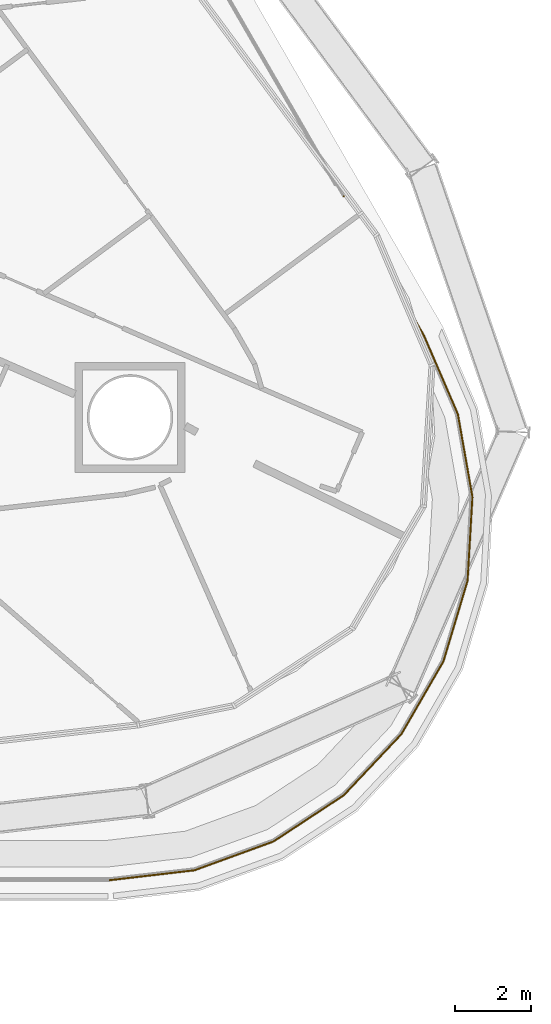
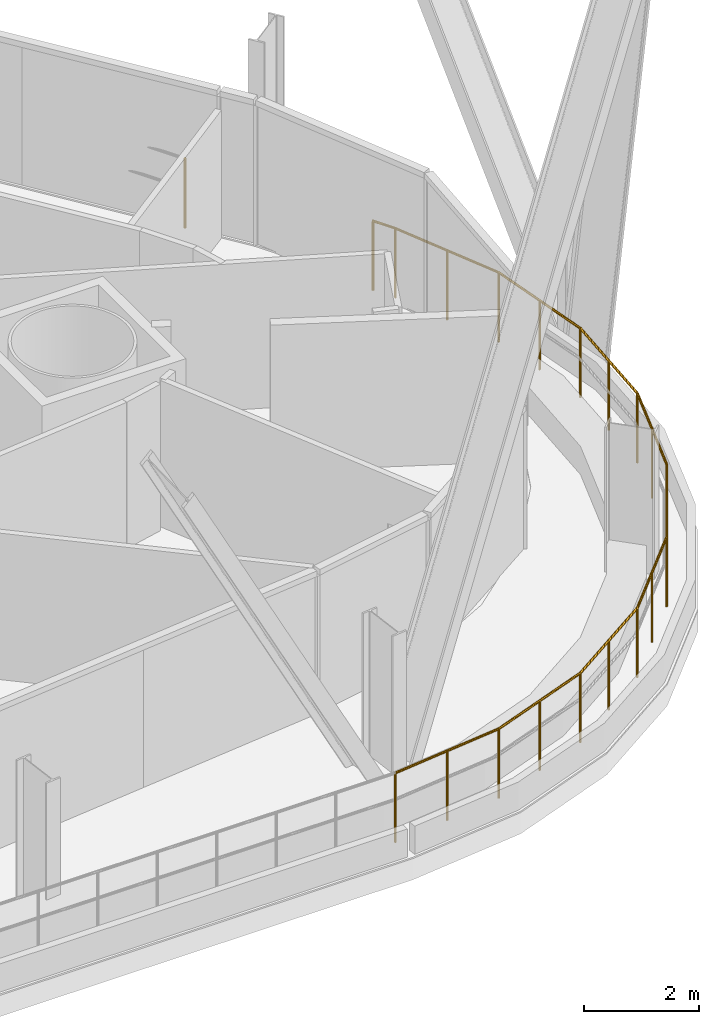
# One storey, part 25 of 32: 2 railings.
"""IFC4 building model written with IfcOpenShell, lengths in metres."""

from ifc_helpers import new_model, si_unit, direction, frame, origin, origin_2d, place, context, subcontext, project, spatial, circle, extrude, material, type_object, element, save


model = new_model("IFC4")

# Units and contexts
model_context = context("Model", 3, precision=1e-05, world=origin(), true_north=direction((0.0, 1.0)))
body_context = subcontext(model_context, "Body", "Model", "MODEL_VIEW")
ifc_project = project(units=[si_unit("LENGTHUNIT", "METRE"), si_unit("AREAUNIT", "SQUARE_METRE"), si_unit("VOLUMEUNIT", "CUBIC_METRE"), si_unit("PLANEANGLEUNIT", "RADIAN"), si_unit("MASSUNIT", "GRAM", prefix="KILO")], contexts=[model_context])

# Site, building, storey
site_placement = place(None, origin())
site = spatial("IfcSite", under=ifc_project, at=site_placement, CompositionType="ELEMENT")
building_placement = place(site_placement, origin())
building = spatial("IfcBuilding", under=site, at=building_placement, Name="Spindle Arch Residences", CompositionType="ELEMENT")
storey_placement = place(building_placement, frame((0.0, 0.0, 76.699951171875)))
storey = spatial("IfcBuildingStorey", under=building, at=storey_placement, Name="L17", CompositionType="ELEMENT", Elevation=76.699951171875)

# Railings
ifc_material = material(Name="Bronze anodised aluminium guard with glass infill", Category="aluminium")
railing_type = type_object("IfcRailingType", Name="Terrace guard 1500", PredefinedType="GUARDRAIL", material=ifc_material)
railing_1_placement = place(storey_placement, frame((26.276123046875, -3.151611328125, 0.030029296875)))
element("IfcRailing", 1, at=railing_1_placement, inside=storey, type_object=railing_type, Name="Terrace guard L16 8", PredefinedType="GUARDRAIL", context=body_context, shape_type="SweptSolid", body=[
    extrude(circle(Radius=0.02392578125, at=origin_2d()), frame((0.0, 0.0, 1.47607421875), z_axis=(0.808736084303, 0.588171697675, 0.0), x_axis=(-0.588171697675, 0.808736084303, 0.0)), (0.0, 0.0, 1.0), 0.010009765625),
    extrude(circle(Radius=0.02099609375, at=origin_2d()), origin(), (0.0, 0.0, 1.0), 1.451904296875),
    extrude(circle(Radius=0.02099609375, at=origin_2d()), frame((0.008056640625, 0.005859375, 0.0)), (0.0, 0.0, 1.0), 1.451904296875),
])
railing_2_placement = place(storey_placement, frame((28.18017578125, -6.43017578125, 0.030029296875)))
element("IfcRailing", 2, at=railing_2_placement, inside=storey, type_object=railing_type, Name="Terrace guard L16 9", PredefinedType="GUARDRAIL", context=body_context, shape_type="SweptSolid", body=[
    extrude(circle(Radius=0.02392578125, at=origin_2d()), frame((0.0, 0.0, 1.47607421875), z_axis=(-0.955779008722, -0.294085848838, 0.0), x_axis=(0.294085848838, -0.955779008722, 0.0)), (0.0, 0.0, 1.0), 0.010009765625),
    extrude(circle(Radius=0.02392578125, at=origin_2d()), frame((-0.009521484375, -0.0029296875, 1.47607421875), z_axis=(0.500063042646, -0.865989003036, 0.0), x_axis=(0.865989003036, 0.500063042646, 0.0)), (0.0, 0.0, 1.0), 0.455078125),
    extrude(circle(Radius=0.02392578125, at=origin_2d()), frame((0.218017578125, -0.39697265625, 1.47607421875), z_axis=(0.39604085828, -0.918232889072, 0.0), x_axis=(0.918232889072, 0.39604085828, 0.0)), (0.0, 0.0, 1.0), 2.248779296875),
    extrude(circle(Radius=0.02392578125, at=origin_2d()), frame((1.108642578125, -2.4619140625, 1.47607421875), z_axis=(0.173590541613, -0.984817914065, 0.0), x_axis=(0.984817914065, 0.173590541613, 0.0)), (0.0, 0.0, 1.0), 2.216552734375),
    extrude(circle(Radius=0.02392578125, at=origin_2d()), frame((1.493408203125, -4.644775390625, 1.47607421875), z_axis=(-0.058050457213, -0.998313650321, 0.0), x_axis=(0.998313650321, -0.058050457213, 0.0)), (0.0, 0.0, 1.0), 2.21630859375),
    extrude(circle(Radius=0.02392578125, at=origin_2d()), frame((1.36474609375, -6.857421875, 1.47607421875), z_axis=(-0.286832459893, -0.957980761786, 0.0), x_axis=(0.957980761786, -0.286832459893, 0.0)), (0.0, 0.0, 1.0), 2.21630859375),
    extrude(circle(Radius=0.02392578125, at=origin_2d()), frame((0.72900390625, -8.980712890625, 1.47607421875), z_axis=(-0.500024353964, -0.86601134256, 0.0), x_axis=(0.86601134256, -0.500024353964, 0.0)), (0.0, 0.0, 1.0), 2.216796875),
    extrude(circle(Radius=0.02392578125, at=origin_2d()), frame((-0.37939453125, -10.900390625, 1.47607421875), z_axis=(-0.686209430892, -0.727404025941, 0.0), x_axis=(0.727404025941, -0.686209430892, 0.0)), (0.0, 0.0, 1.0), 2.216552734375),
    extrude(circle(Radius=0.02392578125, at=origin_2d()), frame((-1.900390625, -12.5126953125, 1.47607421875), z_axis=(-0.835524878478, -0.549452616196, 0.0), x_axis=(0.549452616196, -0.835524878478, 0.0)), (0.0, 0.0, 1.0), 2.21630859375),
    extrude(circle(Radius=0.02392578125, at=origin_2d()), frame((-3.752197265625, -13.73046875, 1.47607421875), z_axis=(-0.939658280141, -0.342114478738, 0.0), x_axis=(0.342114478738, -0.939658280141, 0.0)), (0.0, 0.0, 1.0), 2.216552734375),
    extrude(circle(Radius=0.02392578125, at=origin_2d()), frame((-5.8349609375, -14.48876953125, 1.47607421875), z_axis=(-0.993242922767, -0.116053851179, 0.0), x_axis=(0.116053851179, -0.993242922767, 0.0)), (0.0, 0.0, 1.0), 2.248779296875),
    extrude(circle(Radius=0.02099609375, at=origin_2d()), origin(), (0.0, 0.0, 1.0), 1.451904296875),
    extrude(circle(Radius=0.02099609375, at=origin_2d()), frame((-0.009521484375, -0.0029296875, 0.0)), (0.0, 0.0, 1.0), 1.451904296875),
    extrude(circle(Radius=0.02099609375, at=origin_2d()), frame((0.218017578125, -0.39697265625, 0.0)), (0.0, 0.0, 1.0), 1.451904296875),
    extrude(circle(Radius=0.02099609375, at=origin_2d()), frame((0.663330078125, -1.429443359375, 0.0)), (0.0, 0.0, 1.0), 1.451904296875),
    extrude(circle(Radius=0.02099609375, at=origin_2d()), frame((1.108642578125, -2.4619140625, 0.0)), (0.0, 0.0, 1.0), 1.451904296875),
    extrude(circle(Radius=0.02099609375, at=origin_2d()), frame((1.301025390625, -3.55322265625, 0.0)), (0.0, 0.0, 1.0), 1.451904296875),
    extrude(circle(Radius=0.02099609375, at=origin_2d()), frame((1.493408203125, -4.644775390625, 0.0)), (0.0, 0.0, 1.0), 1.451904296875),
    extrude(circle(Radius=0.02099609375, at=origin_2d()), frame((1.42919921875, -5.7509765625, 0.0)), (0.0, 0.0, 1.0), 1.451904296875),
    extrude(circle(Radius=0.02099609375, at=origin_2d()), frame((1.36474609375, -6.857421875, 0.0)), (0.0, 0.0, 1.0), 1.451904296875),
    extrude(circle(Radius=0.02099609375, at=origin_2d()), frame((1.046875, -7.9189453125, 0.0)), (0.0, 0.0, 1.0), 1.451904296875),
    extrude(circle(Radius=0.02099609375, at=origin_2d()), frame((0.72900390625, -8.980712890625, 0.0)), (0.0, 0.0, 1.0), 1.451904296875),
    extrude(circle(Radius=0.02099609375, at=origin_2d()), frame((0.1748046875, -9.9404296875, 0.0)), (0.0, 0.0, 1.0), 1.451904296875),
    extrude(circle(Radius=0.02099609375, at=origin_2d()), frame((-0.37939453125, -10.900390625, 0.0)), (0.0, 0.0, 1.0), 1.451904296875),
    extrude(circle(Radius=0.02099609375, at=origin_2d()), frame((-1.139892578125, -11.70654296875, 0.0)), (0.0, 0.0, 1.0), 1.451904296875),
    extrude(circle(Radius=0.02099609375, at=origin_2d()), frame((-1.900390625, -12.5126953125, 0.0)), (0.0, 0.0, 1.0), 1.451904296875),
    extrude(circle(Radius=0.02099609375, at=origin_2d()), frame((-2.826171875, -13.12158203125, 0.0)), (0.0, 0.0, 1.0), 1.451904296875),
    extrude(circle(Radius=0.02099609375, at=origin_2d()), frame((-3.752197265625, -13.73046875, 0.0)), (0.0, 0.0, 1.0), 1.451904296875),
    extrude(circle(Radius=0.02099609375, at=origin_2d()), frame((-4.79345703125, -14.109619140625, 0.0)), (0.0, 0.0, 1.0), 1.451904296875),
    extrude(circle(Radius=0.02099609375, at=origin_2d()), frame((-5.8349609375, -14.48876953125, 0.0)), (0.0, 0.0, 1.0), 1.451904296875),
    extrude(circle(Radius=0.02099609375, at=origin_2d()), frame((-6.95166015625, -14.619140625, 0.0)), (0.0, 0.0, 1.0), 1.451904296875),
    extrude(circle(Radius=0.02099609375, at=origin_2d()), frame((-8.068603515625, -14.749755859375, 0.0)), (0.0, 0.0, 1.0), 1.451904296875),
])

save(model, "model.ifc")
